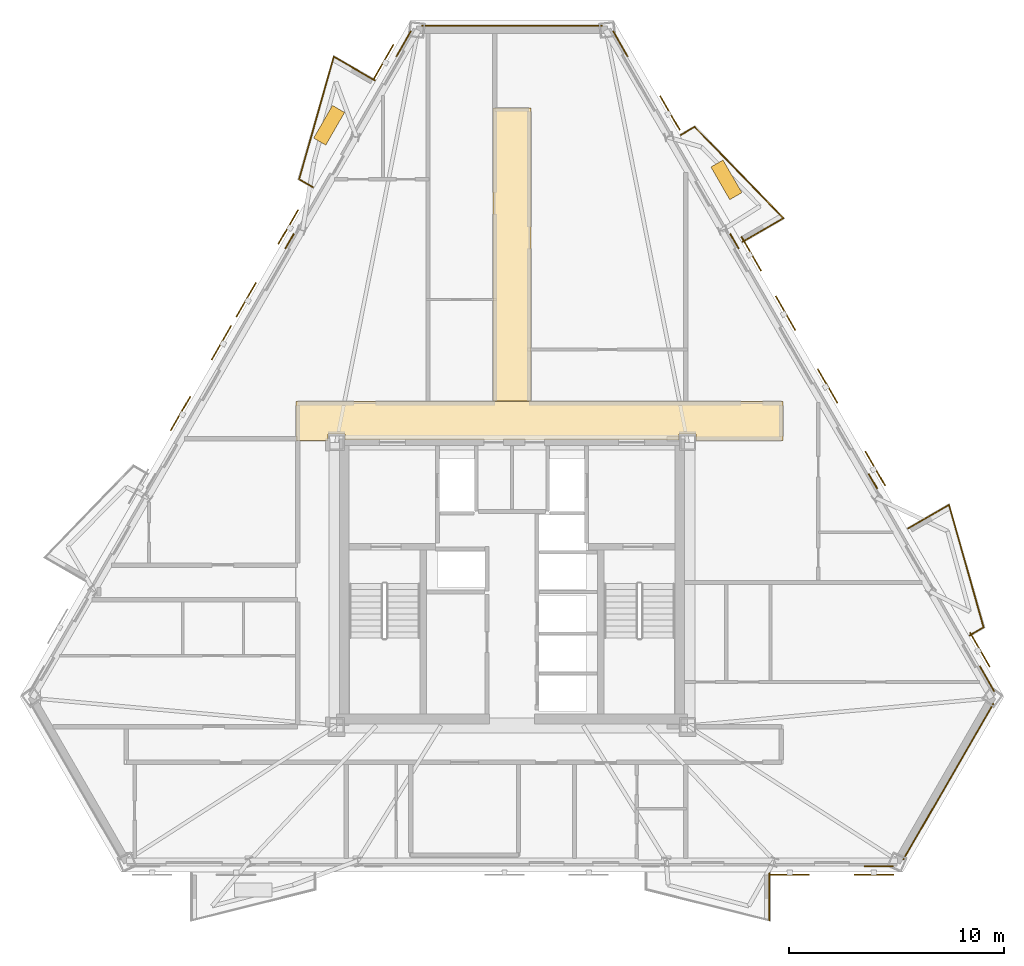
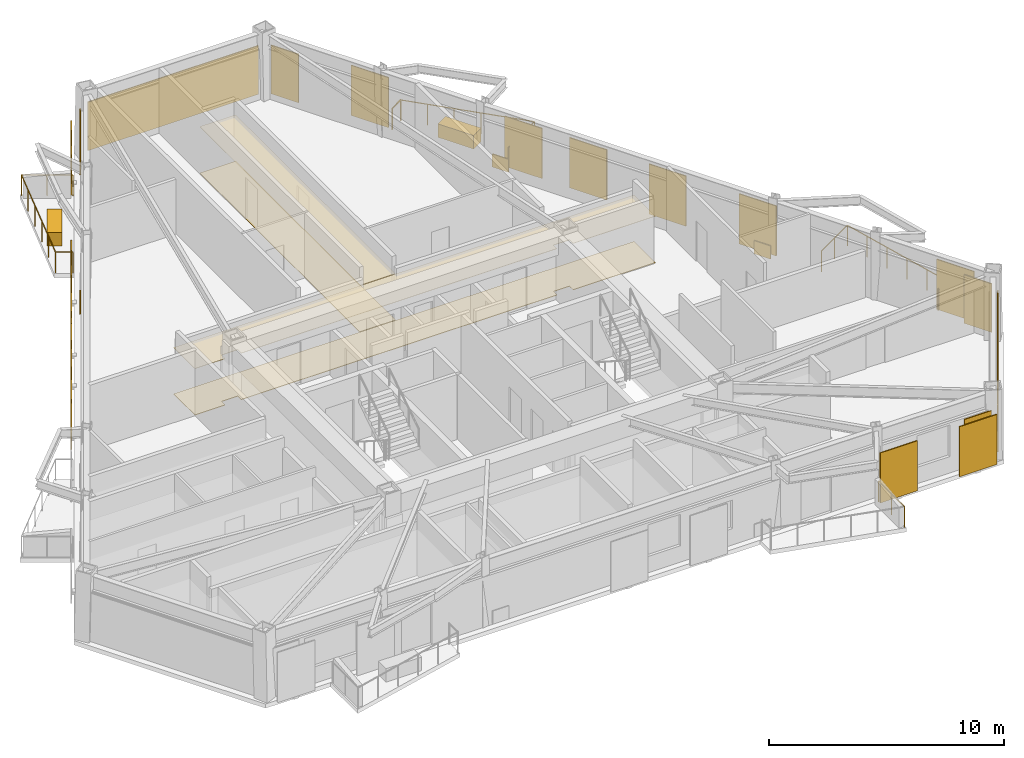
# One storey, part 9 of 9: 15 coverings, 13 shading devices, 10 railings.
"""IFC4 building model written with IfcOpenShell, lengths in metres."""

from ifc_helpers import new_model, si_unit, direction, frame, origin, origin_2d, place, context, subcontext, project, spatial, polyline, rectangle, circle, outline, extrude, material, layer, layer_set, type_object, element, save


model = new_model("IFC4")

# Units and contexts
model_context = context("Model", 3, precision=1e-05, world=origin(), true_north=direction((0.0, 1.0)))
body_context = subcontext(model_context, "Body", "Model", "MODEL_VIEW")
ifc_project = project(units=[si_unit("LENGTHUNIT", "METRE"), si_unit("AREAUNIT", "SQUARE_METRE"), si_unit("VOLUMEUNIT", "CUBIC_METRE"), si_unit("PLANEANGLEUNIT", "RADIAN"), si_unit("MASSUNIT", "GRAM", prefix="KILO")], contexts=[model_context])

# Site, building, storey
site_placement = place(None, origin())
site = spatial("IfcSite", under=ifc_project, at=site_placement, CompositionType="ELEMENT")
building_placement = place(site_placement, origin())
building = spatial("IfcBuilding", under=site, at=building_placement, Name="Oramaril Tower", CompositionType="ELEMENT")
storey_placement = place(building_placement, frame((0.0, 0.0, 163.800048828125)))
storey = spatial("IfcBuildingStorey", under=building, at=storey_placement, Name="L43", CompositionType="ELEMENT", Elevation=163.800048828125)

# Coverings
ifc_material_1 = material(Name="Mineral Fibre Acoustic Ceiling")
ifc_layer_1 = layer(ifc_material_1, 0.02001953125)
ifc_layer_set_1 = layer_set([ifc_layer_1], Name="CVT-CEIL")
covering_type_1 = type_object("IfcCoveringType", Name="CVT-CEIL", PredefinedType="CEILING", material=ifc_layer_set_1)
covering_1_placement = place(storey_placement, frame((0.0, 0.0, 2.411865234375)))
element("IfcCovering", 1, at=covering_1_placement, inside=storey, type_object=covering_type_1, Name="L43 Acoustic Suspended Ceiling 2", PredefinedType="CEILING", context=body_context, shape_type="SweptSolid", body=[
    extrude(outline(polyline([(50.080078125, 24.239990234375), (46.044921875, 24.239990234375), (46.044921875, 24.544921875), (45.2548828125, 24.544921875), (45.2548828125, 24.25), (29.7451171875, 24.25), (29.7451171875, 24.544921875), (28.955078125, 24.544921875), (28.955078125, 24.239990234375), (27.469970703125, 24.239990234375), (27.469970703125, 26.050048828125), (50.080078125, 26.050048828125), (50.080078125, 24.239990234375)])), origin(), (0.0, 0.0, 1.0), 0.02001953125),
])
covering_2_placement = place(storey_placement, frame((0.0, 0.0, 2.411865234375)))
element("IfcCovering", 2, at=covering_2_placement, inside=storey, type_object=covering_type_1, Name="L43 Acoustic Suspended Ceiling 4", PredefinedType="CEILING", context=body_context, shape_type="SweptSolid", body=[
    extrude(outline(polyline([(38.3798828125, 26.070068359375), (36.6201171875, 26.070068359375), (36.6201171875, 39.679931640625), (38.3798828125, 39.679931640625), (38.3798828125, 26.070068359375)])), origin(), (0.0, 0.0, 1.0), 0.02001953125),
])
ifc_material_2 = material(Name="Warm Cream Limestone", Category="masonry")
ifc_layer_2 = layer(ifc_material_2, 0.050048828125)
ifc_layer_set_2 = layer_set([ifc_layer_2], Name="CVT-CLD")
covering_type_2 = type_object("IfcCoveringType", Name="CVT-CLD", PredefinedType="CLADDING", material=ifc_layer_set_2)
covering_3_placement = place(storey_placement, frame((54.51904296875, 4.468994140625, 0.0400390625), z_axis=(0.0, 0.0, 1.0), x_axis=(1.0, 0.0, 0.0)))
element("IfcCovering", 3, at=covering_3_placement, inside=storey, type_object=covering_type_2, Name="L43 Warm Cream Limestone Cladding", PredefinedType="CLADDING", context=body_context, shape_type="SweptSolid", body=[
    extrude(rectangle(XDim=1.35009765625, YDim=0.050048828125, at=origin_2d()), origin(), (0.0, 0.0, 1.0), 2.52001953125),
])
covering_4_placement = place(storey_placement, frame((57.753662109375, 8.406494140625, 0.0400390625), z_axis=(0.0, 0.0, 1.0), x_axis=(0.5, 0.866025403784, 0.0)))
element("IfcCovering", 4, at=covering_4_placement, inside=storey, type_object=covering_type_2, Name="L43 Warm Cream Limestone Cladding", PredefinedType="CLADDING", context=body_context, shape_type="SweptSolid", body=[
    extrude(rectangle(XDim=8.370361328125, YDim=0.050048828125, at=origin_2d()), origin(), (0.0, 0.0, 1.0), 2.52001953125),
])
for number, where, z_axis, x_axis, name in (
    (5, (59.54638671875, 13.176513671875, 0.0400390625), (0.0, 0.0, 1.0), (-0.5, 0.866025403784, 0.0), "L43 Warm Cream Limestone Cladding"),
    (6, (42.52734375, 42.654296875, 0.0400390625), (0.0, 0.0, 1.0), (-0.5, 0.866025403784, 0.0), "L43 Warm Cream Limestone Cladding"),
):
    element("IfcCovering", number, at=place(storey_placement, frame(where, z_axis=z_axis, x_axis=x_axis)), inside=storey, type_object=covering_type_2, Name=name, PredefinedType="CLADDING", context=body_context, shape_type="SweptSolid", body=[
        extrude(rectangle(XDim=1.35009765625, YDim=0.050048828125, at=origin_2d()), origin(), (0.0, 0.0, 1.0), 2.52001953125),
    ])
for number, where, z_axis, x_axis, name in (
    (7, (54.25341796875, 22.344482421875, 0.0400390625), (0.0, 0.0, 1.0), (-0.5, 0.866025403784, 0.0), "L43 Warm Cream Limestone Spandrel Cladding"),
    (8, (47.8203125, 33.486572265625, 0.0400390625), (0.0, 0.0, 1.0), (-0.5, 0.866025403784, 0.0), "L43 Warm Cream Limestone Spandrel Cladding"),
):
    element("IfcCovering", number, at=place(storey_placement, frame(where, z_axis=z_axis, x_axis=x_axis)), inside=storey, type_object=covering_type_2, Name=name, PredefinedType="CLADDING", context=body_context, shape_type="SweptSolid", body=[
        extrude(rectangle(XDim=0.800048828125, YDim=0.050048828125, at=origin_2d()), origin(), (0.0, 0.0, 1.0), 0.679931640625),
    ])
covering_5_placement = place(storey_placement, frame((37.5, 43.487060546875, 0.0400390625), z_axis=(0.0, 0.0, 1.0), x_axis=(-1.0, 0.0, 0.0)))
element("IfcCovering", 9, at=covering_5_placement, inside=storey, type_object=covering_type_2, Name="L43 Warm Cream Limestone Cladding", PredefinedType="CLADDING", context=body_context, shape_type="SweptSolid", body=[
    extrude(rectangle(XDim=8.370361328125, YDim=0.050048828125, at=origin_2d()), origin(), (0.0, 0.0, 1.0), 2.52001953125),
])
covering_6_placement = place(storey_placement, frame((32.47265625, 42.654296875, 0.0400390625), z_axis=(0.0, 0.0, 1.0), x_axis=(-0.5, -0.866025403784, 0.0)))
element("IfcCovering", 10, at=covering_6_placement, inside=storey, type_object=covering_type_2, Name="L43 Warm Cream Limestone Cladding", PredefinedType="CLADDING", context=body_context, shape_type="SweptSolid", body=[
    extrude(rectangle(XDim=1.35009765625, YDim=0.050048828125, at=origin_2d()), origin(), (0.0, 0.0, 1.0), 2.52001953125),
])
covering_7_placement = place(storey_placement, frame((27.1796875, 33.486572265625, 0.0400390625), z_axis=(0.0, 0.0, 1.0), x_axis=(-0.5, -0.866025403784, 0.0)))
element("IfcCovering", 11, at=covering_7_placement, inside=storey, type_object=covering_type_2, Name="L43 Warm Cream Limestone Spandrel Cladding", PredefinedType="CLADDING", context=body_context, shape_type="SweptSolid", body=[
    extrude(rectangle(XDim=0.800048828125, YDim=0.050048828125, at=origin_2d()), origin(), (0.0, 0.0, 1.0), 0.679931640625),
])
for number, where, z_axis, x_axis, name in (
    (12, (47.4501953125, 36.334716796875, 0.0), (0.0, 0.0, 1.0), (-0.500001511499, 0.866024531118, 0.0), "L43 Structural Tree Planter Box L43-BAL-NE2"),
    (13, (29.01220703125, 38.867919921875, 0.0), (0.0, 0.0, 1.0), (-0.500001511499, -0.866024531118, 0.0), "L43 Structural Tree Planter Box L43-BAL-NW1"),
):
    element("IfcCovering", number, at=place(storey_placement, frame(where, z_axis=z_axis, x_axis=x_axis)), inside=storey, type_object=covering_type_2, Name=name, PredefinedType="CLADDING", context=body_context, shape_type="SweptSolid", body=[
        extrude(rectangle(XDim=1.75, YDim=0.64990234375, at=origin_2d()), origin(), (0.0, 0.0, 1.0), 0.699951171875),
    ])
ifc_material_3 = material(Name="Honed Quartzite Stone Flooring", Category="masonry")
ifc_layer_3 = layer(ifc_material_3, 0.02490234375)
ifc_layer_set_3 = layer_set([ifc_layer_3], Name="CVT-FLR")
covering_type_3 = type_object("IfcCoveringType", Name="CVT-FLR", PredefinedType="FLOORING", material=ifc_layer_set_3)
covering_8_placement = place(storey_placement, origin())
element("IfcCovering", 14, at=covering_8_placement, inside=storey, type_object=covering_type_3, Name="L43 Honed Stone Floor Finish 2", PredefinedType="FLOORING", context=body_context, shape_type="SweptSolid", body=[
    extrude(outline(polyline([(50.080078125, 24.239990234375), (46.044921875, 24.239990234375), (46.044921875, 24.544921875), (45.2548828125, 24.544921875), (45.2548828125, 24.25), (29.7451171875, 24.25), (29.7451171875, 24.544921875), (28.955078125, 24.544921875), (28.955078125, 24.239990234375), (27.469970703125, 24.239990234375), (27.469970703125, 26.050048828125), (50.080078125, 26.050048828125), (50.080078125, 24.239990234375)])), origin(), (0.0, 0.0, 1.0), 0.02490234375),
])
covering_9_placement = place(storey_placement, origin())
element("IfcCovering", 15, at=covering_9_placement, inside=storey, type_object=covering_type_3, Name="L43 Honed Stone Floor Finish 4", PredefinedType="FLOORING", context=body_context, shape_type="SweptSolid", body=[
    extrude(outline(polyline([(38.3798828125, 26.070068359375), (36.6201171875, 26.070068359375), (36.6201171875, 39.679931640625), (38.3798828125, 39.679931640625), (38.3798828125, 26.070068359375)])), origin(), (0.0, 0.0, 1.0), 0.02490234375),
])

# Railings
ifc_material_4 = material(Name="Stainless Steel 316L", Category="steel")
railing_type = type_object("IfcRailingType", Name="RLT-GRD", PredefinedType="GUARDRAIL", material=ifc_material_4)
railing_1_placement = place(storey_placement, frame((49.44970703125, 4.154052734375, 0.0)))
element("IfcRailing", 16, at=railing_1_placement, inside=storey, type_object=railing_type, Name="L43 Balcony Guardrail L43-BAL-S2.1", PredefinedType="GUARDRAIL", context=body_context, shape_type="SweptSolid", body=[
    extrude(circle(Radius=0.02392578125, at=origin_2d()), frame((0.0, 0.0, 1.076171875), z_axis=(0.0, -1.0, 0.0), x_axis=(1.0, 0.0, 0.0)), (0.0, 0.0, 1.0), 2.192138671875),
    extrude(circle(Radius=0.02099609375, at=origin_2d()), origin(), (0.0, 0.0, 1.0), 1.052001953125),
    extrude(circle(Radius=0.02099609375, at=origin_2d()), frame((0.0, -1.09619140625, 0.0)), (0.0, 0.0, 1.0), 1.052001953125),
    extrude(circle(Radius=0.02099609375, at=origin_2d()), frame((0.0, -2.192138671875, 0.0)), (0.0, 0.0, 1.0), 1.052001953125),
])
railing_2_placement = place(storey_placement, frame((55.882080078125, 20.153564453125, 0.0)))
element("IfcRailing", 17, at=railing_2_placement, inside=storey, type_object=railing_type, Name="L43 Balcony Guardrail L43-BAL-NE1.1", PredefinedType="GUARDRAIL", context=body_context, shape_type="SweptSolid", body=[
    extrude(circle(Radius=0.02392578125, at=origin_2d()), frame((0.0, 0.0, 1.076171875), z_axis=(0.866020500697, 0.5000084923, 0.0), x_axis=(-0.5000084923, 0.866020500697, 0.0)), (0.0, 0.0, 1.0), 2.19189453125),
    extrude(circle(Radius=0.02099609375, at=origin_2d()), origin(), (0.0, 0.0, 1.0), 1.052001953125),
    extrude(circle(Radius=0.02099609375, at=origin_2d()), frame((0.94921875, 0.5478515625, 0.0)), (0.0, 0.0, 1.0), 1.052001953125),
    extrude(circle(Radius=0.02099609375, at=origin_2d()), frame((1.898193359375, 1.095947265625, 0.0)), (0.0, 0.0, 1.0), 1.052001953125),
])
railing_3_placement = place(storey_placement, frame((57.7802734375, 21.24951171875, 0.0)))
element("IfcRailing", 18, at=railing_3_placement, inside=storey, type_object=railing_type, Name="L43 Balcony Guardrail L43-BAL-NE1.2", PredefinedType="GUARDRAIL", context=body_context, shape_type="SweptSolid", body=[
    extrude(circle(Radius=0.02392578125, at=origin_2d()), frame((0.0, 0.0, 1.076171875), z_axis=(0.27224886544, -0.962226873074, 0.0), x_axis=(0.962226873074, 0.27224886544, 0.0)), (0.0, 0.0, 1.0), 5.910400390625),
    extrude(circle(Radius=0.02099609375, at=origin_2d()), origin(), (0.0, 0.0, 1.0), 1.052001953125),
    extrude(circle(Radius=0.02099609375, at=origin_2d()), frame((0.32177734375, -1.137451171875, 0.0)), (0.0, 0.0, 1.0), 1.052001953125),
    extrude(circle(Radius=0.02099609375, at=origin_2d()), frame((0.6435546875, -2.27490234375, 0.0)), (0.0, 0.0, 1.0), 1.052001953125),
    extrude(circle(Radius=0.02099609375, at=origin_2d()), frame((0.965576171875, -3.412353515625, 0.0)), (0.0, 0.0, 1.0), 1.052001953125),
    extrude(circle(Radius=0.02099609375, at=origin_2d()), frame((1.287353515625, -4.5498046875, 0.0)), (0.0, 0.0, 1.0), 1.052001953125),
    extrude(circle(Radius=0.02099609375, at=origin_2d()), frame((1.609130859375, -5.687255859375, 0.0)), (0.0, 0.0, 1.0), 1.052001953125),
])
railing_4_placement = place(storey_placement, frame((59.389404296875, 15.562255859375, 0.0)))
element("IfcRailing", 19, at=railing_4_placement, inside=storey, type_object=railing_type, Name="L43 Balcony Guardrail L43-BAL-NE1.3", PredefinedType="GUARDRAIL", context=body_context, shape_type="SweptSolid", body=[
    extrude(circle(Radius=0.02392578125, at=origin_2d()), frame((0.0, 0.0, 1.076171875), z_axis=(-0.866026623601, -0.49999788721, 0.0), x_axis=(0.49999788721, -0.866026623601, 0.0)), (0.0, 0.0, 1.0), 0.74169921875),
    extrude(circle(Radius=0.02099609375, at=origin_2d()), origin(), (0.0, 0.0, 1.0), 1.052001953125),
    extrude(circle(Radius=0.02099609375, at=origin_2d()), frame((-0.642333984375, -0.370849609375, 0.0)), (0.0, 0.0, 1.0), 1.052001953125),
])
railing_5_placement = place(storey_placement, frame((45.3349609375, 38.421630859375, 0.0)))
element("IfcRailing", 20, at=railing_5_placement, inside=storey, type_object=railing_type, Name="L43 Balcony Guardrail L43-BAL-NE2.1", PredefinedType="GUARDRAIL", context=body_context, shape_type="SweptSolid", body=[
    extrude(circle(Radius=0.02392578125, at=origin_2d()), frame((0.0, 0.0, 1.076171875), z_axis=(0.866026623601, 0.49999788721, 0.0), x_axis=(-0.49999788721, 0.866026623601, 0.0)), (0.0, 0.0, 1.0), 0.74169921875),
    extrude(circle(Radius=0.02099609375, at=origin_2d()), origin(), (0.0, 0.0, 1.0), 1.052001953125),
    extrude(circle(Radius=0.02099609375, at=origin_2d()), frame((0.642333984375, 0.370849609375, 0.0)), (0.0, 0.0, 1.0), 1.052001953125),
])
railing_6_placement = place(storey_placement, frame((45.977294921875, 38.79248046875, 0.0)))
element("IfcRailing", 21, at=railing_6_placement, inside=storey, type_object=railing_type, Name="L43 Balcony Guardrail L43-BAL-NE2.2", PredefinedType="GUARDRAIL", context=body_context, shape_type="SweptSolid", body=[
    extrude(circle(Radius=0.02392578125, at=origin_2d()), frame((0.0, 0.0, 1.076171875), z_axis=(0.697207560153, -0.716869317285, 0.0), x_axis=(0.716869317285, 0.697207560153, 0.0)), (0.0, 0.0, 1.0), 5.910400390625),
    extrude(circle(Radius=0.02099609375, at=origin_2d()), origin(), (0.0, 0.0, 1.0), 1.052001953125),
    extrude(circle(Radius=0.02099609375, at=origin_2d()), frame((0.82421875, -0.847412109375, 0.0)), (0.0, 0.0, 1.0), 1.052001953125),
    extrude(circle(Radius=0.02099609375, at=origin_2d()), frame((1.6484375, -1.69482421875, 0.0)), (0.0, 0.0, 1.0), 1.052001953125),
    extrude(circle(Radius=0.02099609375, at=origin_2d()), frame((2.472412109375, -2.542236328125, 0.0)), (0.0, 0.0, 1.0), 1.052001953125),
    extrude(circle(Radius=0.02099609375, at=origin_2d()), frame((3.296630859375, -3.3896484375, 0.0)), (0.0, 0.0, 1.0), 1.052001953125),
    extrude(circle(Radius=0.02099609375, at=origin_2d()), frame((4.120849609375, -4.237060546875, 0.0)), (0.0, 0.0, 1.0), 1.052001953125),
])
railing_7_placement = place(storey_placement, frame((50.09814453125, 34.555419921875, 0.0)))
element("IfcRailing", 22, at=railing_7_placement, inside=storey, type_object=railing_type, Name="L43 Balcony Guardrail L43-BAL-NE2.3", PredefinedType="GUARDRAIL", context=body_context, shape_type="SweptSolid", body=[
    extrude(circle(Radius=0.02392578125, at=origin_2d()), frame((0.0, 0.0, 1.076171875), z_axis=(-0.865972267571, -0.50009202333, 0.0), x_axis=(0.50009202333, -0.865972267571, 0.0)), (0.0, 0.0, 1.0), 2.19189453125),
    extrude(circle(Radius=0.02099609375, at=origin_2d()), origin(), (0.0, 0.0, 1.0), 1.052001953125),
    extrude(circle(Radius=0.02099609375, at=origin_2d()), frame((-0.94921875, -0.548095703125, 0.0)), (0.0, 0.0, 1.0), 1.052001953125),
    extrude(circle(Radius=0.02099609375, at=origin_2d()), frame((-1.898193359375, -1.09619140625, 0.0)), (0.0, 0.0, 1.0), 1.052001953125),
])
railing_8_placement = place(storey_placement, frame((28.2626953125, 35.992431640625, 0.0)))
element("IfcRailing", 23, at=railing_8_placement, inside=storey, type_object=railing_type, Name="L43 Balcony Guardrail L43-BAL-NW1.1", PredefinedType="GUARDRAIL", context=body_context, shape_type="SweptSolid", body=[
    extrude(circle(Radius=0.02392578125, at=origin_2d()), frame((0.0, 0.0, 1.076171875), z_axis=(-0.865966403178, 0.500102178127, 0.0), x_axis=(-0.500102178127, -0.865966403178, 0.0)), (0.0, 0.0, 1.0), 0.741943359375),
    extrude(circle(Radius=0.02099609375, at=origin_2d()), origin(), (0.0, 0.0, 1.0), 1.052001953125),
    extrude(circle(Radius=0.02099609375, at=origin_2d()), frame((-0.642578125, 0.37109375, 0.0)), (0.0, 0.0, 1.0), 1.052001953125),
])
railing_9_placement = place(storey_placement, frame((27.6201171875, 36.363525390625, 0.0)))
element("IfcRailing", 24, at=railing_9_placement, inside=storey, type_object=railing_type, Name="L43 Balcony Guardrail L43-BAL-NW1.2", PredefinedType="GUARDRAIL", context=body_context, shape_type="SweptSolid", body=[
    extrude(circle(Radius=0.02392578125, at=origin_2d()), frame((0.0, 0.0, 1.076171875), z_axis=(0.27224886544, 0.962226873074, 0.0), x_axis=(-0.962226873074, 0.27224886544, 0.0)), (0.0, 0.0, 1.0), 5.910400390625),
    extrude(circle(Radius=0.02099609375, at=origin_2d()), origin(), (0.0, 0.0, 1.0), 1.052001953125),
    extrude(circle(Radius=0.02099609375, at=origin_2d()), frame((0.32177734375, 1.137451171875, 0.0)), (0.0, 0.0, 1.0), 1.052001953125),
    extrude(circle(Radius=0.02099609375, at=origin_2d()), frame((0.6435546875, 2.27490234375, 0.0)), (0.0, 0.0, 1.0), 1.052001953125),
    extrude(circle(Radius=0.02099609375, at=origin_2d()), frame((0.965576171875, 3.412353515625, 0.0)), (0.0, 0.0, 1.0), 1.052001953125),
    extrude(circle(Radius=0.02099609375, at=origin_2d()), frame((1.287353515625, 4.5498046875, 0.0)), (0.0, 0.0, 1.0), 1.052001953125),
    extrude(circle(Radius=0.02099609375, at=origin_2d()), frame((1.609130859375, 5.687255859375, 0.0)), (0.0, 0.0, 1.0), 1.052001953125),
])
railing_10_placement = place(storey_placement, frame((29.229248046875, 42.05078125, 0.0)))
element("IfcRailing", 25, at=railing_10_placement, inside=storey, type_object=railing_type, Name="L43 Balcony Guardrail L43-BAL-NW1.3", PredefinedType="GUARDRAIL", context=body_context, shape_type="SweptSolid", body=[
    extrude(circle(Radius=0.02392578125, at=origin_2d()), frame((0.0, 0.0, 1.076171875), z_axis=(0.866000118559, -0.500043792738, 0.0), x_axis=(0.500043792738, 0.866000118559, 0.0)), (0.0, 0.0, 1.0), 2.192138671875),
    extrude(circle(Radius=0.02099609375, at=origin_2d()), origin(), (0.0, 0.0, 1.0), 1.052001953125),
    extrude(circle(Radius=0.02099609375, at=origin_2d()), frame((0.94921875, -0.548095703125, 0.0)), (0.0, 0.0, 1.0), 1.052001953125),
    extrude(circle(Radius=0.02099609375, at=origin_2d()), frame((1.8984375, -1.09619140625, 0.0)), (0.0, 0.0, 1.0), 1.052001953125),
])

# Shading devices
for number, where, z_axis, x_axis, name in (
    (26, (50.39111328125, 4.08203125, -0.02001953125), (0.0, 0.0, 1.0), (1.0, 0.0, 0.0), "L43 Perforated Ceramic Solar Screen"),
    (27, (54.291259765625, 4.08203125, -0.02001953125), (0.0, 0.0, 1.0), (1.0, 0.0, 0.0), "L43 Perforated Ceramic Solar Screen"),
    (28, (59.216552734375, 14.521728515625, -0.02001953125), (0.0, 0.0, 1.0), (-0.5, 0.866025403784, 0.0), "L43 Perforated Ceramic Solar Screen"),
    (29, (52.146484375, 26.767333984375, -0.02001953125), (0.0, 0.0, 1.0), (-0.5, 0.866025403784, 0.0), "L43 Perforated Ceramic Solar Screen"),
    (30, (50.196533203125, 30.14501953125, -0.02001953125), (0.0, 0.0, 1.0), (-0.5, 0.866025403784, 0.0), "L43 Perforated Ceramic Solar Screen"),
    (31, (48.6064453125, 32.899169921875, -0.02001953125), (0.0, 0.0, 1.0), (-0.5, 0.866025403784, 0.0), "L43 Perforated Ceramic Solar Screen"),
    (32, (54.3603515625, 22.932861328125, -0.02001953125), (0.0, 0.0, 1.0), (-0.5, 0.866025403784, 0.0), "L43 Perforated Ceramic Solar Screen"),
    (33, (44.834228515625, 39.432861328125, -0.02001953125), (0.0, 0.0, 1.0), (-0.5, 0.866025403784, 0.0), "L43 Perforated Ceramic Solar Screen"),
    (34, (22.117919921875, 25.493408203125, -0.02001953125), (0.0, 0.0, 1.0), (-0.5, -0.866025403784, 0.0), "L43 Perforated Ceramic Solar Screen"),
    (35, (27.11181640625, 34.143310546875, -0.02001953125), (0.0, 0.0, 1.0), (-0.5, -0.866025403784, 0.0), "L43 Perforated Ceramic Solar Screen"),
    (36, (25.161865234375, 30.765869140625, -0.02001953125), (0.0, 0.0, 1.0), (-0.5, -0.866025403784, 0.0), "L43 Perforated Ceramic Solar Screen"),
    (37, (24.013427734375, 28.776611328125, -0.02001953125), (0.0, 0.0, 1.0), (-0.5, -0.866025403784, 0.0), "L43 Perforated Ceramic Solar Screen"),
    (38, (31.54296875, 41.818115234375, -0.02001953125), (0.0, 0.0, 1.0), (-0.5, -0.866025403784, 0.0), "L43 Perforated Ceramic Solar Screen"),
):
    element("IfcShadingDevice", number, at=place(storey_placement, frame(where, z_axis=z_axis, x_axis=x_axis)), inside=storey, Name=name, ObjectType="SCREEN", PredefinedType="USERDEFINED", context=body_context, shape_type="SweptSolid", body=[
        extrude(rectangle(XDim=1.8330078125, YDim=0.050048828125, at=origin_2d()), origin(), (0.0, 0.0, 1.0), 2.60009765625),
    ])

save(model, "model.ifc")
